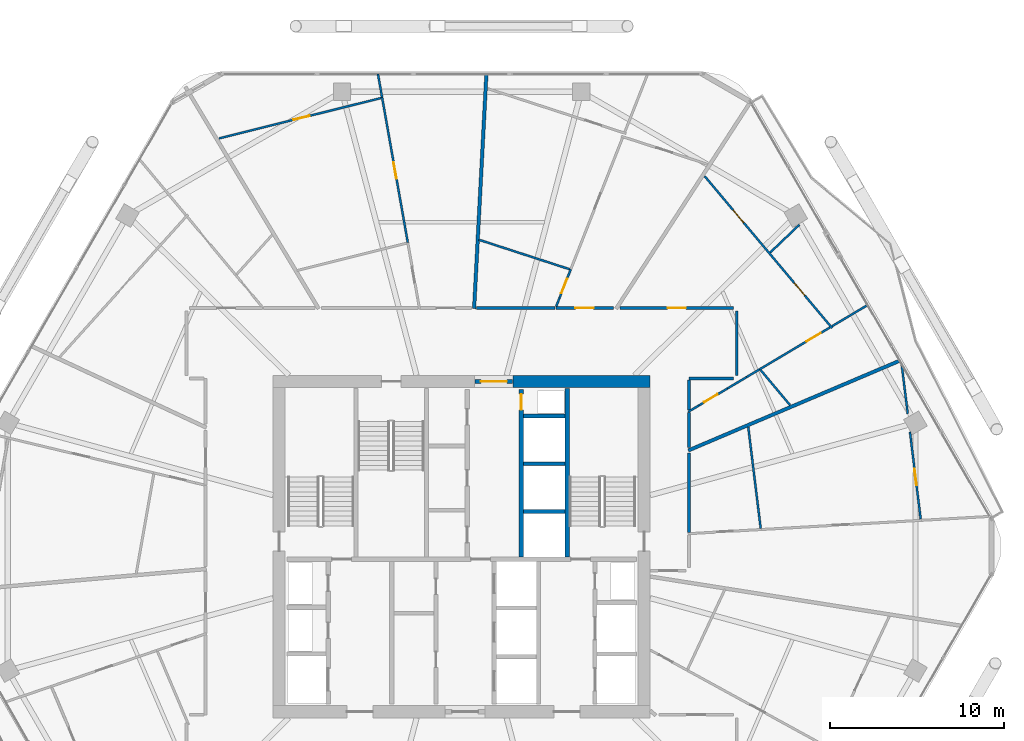
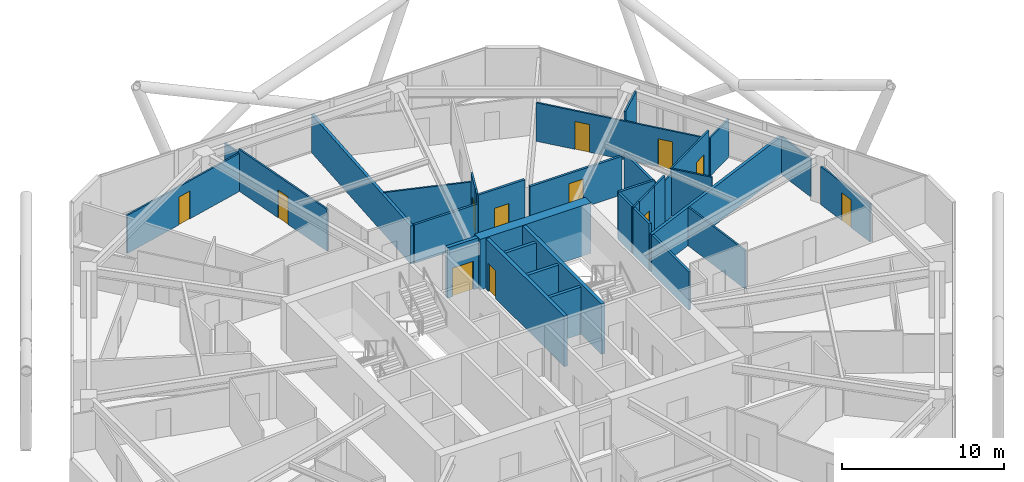
# One storey, part 24 of 28: 35 walls, 12 doors, 12 openings.
"""IFC4 building model written with IfcOpenShell, lengths in metres."""

from ifc_helpers import new_model, si_unit, direction, frame, frame_2d, origin, place, context, subcontext, project, spatial, rectangle, extrude, material, layer, layer_set, type_object, element, fill, save


model = new_model("IFC4")

# Units and contexts
model_context = context("Model", 3, precision=1e-05, world=origin(), true_north=direction((0.0, 1.0)))
body_context = subcontext(model_context, "Body", "Model", "MODEL_VIEW")
ifc_project = project(units=[si_unit("LENGTHUNIT", "METRE"), si_unit("AREAUNIT", "SQUARE_METRE"), si_unit("VOLUMEUNIT", "CUBIC_METRE"), si_unit("PLANEANGLEUNIT", "RADIAN"), si_unit("MASSUNIT", "GRAM", prefix="KILO")], contexts=[model_context])

# Site, building, storey
site_placement = place(None, origin())
site = spatial("IfcSite", under=ifc_project, at=site_placement, CompositionType="ELEMENT")
building_placement = place(site_placement, origin())
building = spatial("IfcBuilding", under=site, at=building_placement, Name="Zuhravey Tower", CompositionType="ELEMENT")
storey_placement = place(building_placement, frame((0.0, 0.0, 169.39990234375)))
storey = spatial("IfcBuildingStorey", under=building, at=storey_placement, Name="L42", CompositionType="ELEMENT", Elevation=169.39990234375)

# Wall
ifc_material_1 = material(Name="Concrete C60/75", Category="concrete")
ifc_layer_1 = layer(ifc_material_1, 0.699951171875)
ifc_layer_set_1 = layer_set([ifc_layer_1], Name="Concrete C60/75")
wall_type_1 = type_object("IfcWallType", Name="Core Shear Wall 700", PredefinedType="SHEAR", material=ifc_layer_set_1)
wall_1_placement = place(storey_placement, frame((46.85009765625, 41.5, 0.0), z_axis=(0.0, 0.0, 1.0), x_axis=(-1.0, 0.0, 0.0)))
element("IfcWall", 1, at=wall_1_placement, inside=storey, type_object=wall_type_1, Name="L42 North-East Core Shear Wall CW70", PredefinedType="SHEAR", context=body_context, shape_type="SweptSolid", body=[
    extrude(rectangle(XDim=7.900146484375, YDim=0.699951171875, at=frame_2d((3.9501953125, 0.0))), origin(), (0.0, 0.0, 1.0), 3.800048828125),
])

# Wall, opening, door
ifc_material_2 = material(Name="Gypsum fire-rated stud partition")
ifc_layer_2 = layer(ifc_material_2, 0.159912109375)
ifc_layer_set_2 = layer_set([ifc_layer_2], Name="Gypsum fire-rated stud partition")
wall_type_2 = type_object("IfcWallType", Name="Corridor Fire Partition 160", PredefinedType="PARTITIONING", material=ifc_layer_set_2)
wall_2_placement = place(storey_placement, frame((51.64990234375, 45.72998046875, 0.0), z_axis=(0.0, 0.0, 1.0), x_axis=(-1.0, 0.0, 0.0)))
wall_2 = element("IfcWall", 2, at=wall_2_placement, inside=storey, type_object=wall_type_2, Name="L42 IW16 Partition 023", PredefinedType="PARTITIONING", context=body_context, shape_type="SweptSolid", body=[
    extrude(rectangle(XDim=6.5380859375, YDim=0.159912109375, at=frame_2d((3.26904296875, 0.0))), origin(), (0.0, 0.0, 1.0), 2.900146484375),
])
opening_1_placement = place(wall_2_placement, frame((2.744140625, 0.0, 0.0)))
opening_1 = element("IfcOpeningElement", 3, at=opening_1_placement, cuts=wall_2, Name="Opening APD1", PredefinedType="OPENING", context=body_context, shape_type="SweptSolid", body=[
    extrude(rectangle(XDim=1.050048828125, YDim=2.14990234375, at=frame_2d((0.52490234375, 1.074951171875))), frame((0.0, 0.092041015625, 0.0), z_axis=(0.0, -1.0, 0.0), x_axis=(1.0, 0.0, 0.0)), (0.0, 0.0, 1.0), 0.183837890625),
])
ifc_material_3 = material(Name="Solid-core oak fire-rated leaf")
door_type_1 = type_object("IfcDoorType", Name="Apartment Entrance Fire Door 1050x2150", OperationType="NOTDEFINED", PredefinedType="DOOR", material=ifc_material_3)
door_1_placement = place(opening_1_placement, frame((1.050048828125, 0.0, 0.0), z_axis=(0.0, 0.0, 1.0), x_axis=(-1.0, 0.0, 0.0)))
door_1 = element("IfcDoor", 4, at=door_1_placement, inside=storey, type_object=door_type_1, Name="L42 Door 023.1", OperationType="SINGLE_SWING_LEFT", OverallHeight=2.14990234375, OverallWidth=1.050048828125, PredefinedType="DOOR", context=body_context, shape_type="SweptSolid", body=[
    extrude(rectangle(XDim=1.050048828125, YDim=2.14990234375, at=frame_2d((0.52490234375, 1.074951171875))), frame((0.0, 0.02490234375, 0.0), z_axis=(0.0, -1.0, 0.0), x_axis=(1.0, 0.0, 0.0)), (0.0, 0.0, 1.0), 0.050048828125),
])
fill(opening_1, door_1)

wall_3_placement = place(storey_placement, frame((44.723388671875, 45.72998046875, 0.0), z_axis=(0.0, 0.0, 1.0), x_axis=(-1.0, 0.0, 0.0)))
wall_3 = element("IfcWall", 5, at=wall_3_placement, inside=storey, type_object=wall_type_2, Name="L42 IW16 Partition 028", PredefinedType="PARTITIONING", context=body_context, shape_type="SweptSolid", body=[
    extrude(rectangle(XDim=3.299072265625, YDim=0.159912109375, at=frame_2d((1.6494140625, 0.0))), origin(), (0.0, 0.0, 1.0), 3.550048828125),
])
opening_2_placement = place(wall_3_placement, frame((1.12451171875, 0.0, 0.0)))
opening_2 = element("IfcOpeningElement", 6, at=opening_2_placement, cuts=wall_3, Name="Opening APD1", PredefinedType="OPENING", context=body_context, shape_type="SweptSolid", body=[
    extrude(rectangle(XDim=1.050048828125, YDim=2.14990234375, at=frame_2d((0.52490234375, 1.074951171875))), frame((0.0, 0.092041015625, 0.0), z_axis=(0.0, -1.0, 0.0), x_axis=(1.0, 0.0, 0.0)), (0.0, 0.0, 1.0), 0.183837890625),
])
door_2_placement = place(opening_2_placement, frame((1.050048828125, 0.0, 0.0), z_axis=(0.0, 0.0, 1.0), x_axis=(-1.0, 0.0, 0.0)))
door_2 = element("IfcDoor", 7, at=door_2_placement, inside=storey, type_object=door_type_1, Name="L42 Door 028.1", OperationType="SINGLE_SWING_RIGHT", OverallHeight=2.14990234375, OverallWidth=1.050048828125, PredefinedType="DOOR", context=body_context, shape_type="SweptSolid", body=[
    extrude(rectangle(XDim=1.050048828125, YDim=2.14990234375, at=frame_2d((0.52490234375, 1.074951171875))), frame((0.0, 0.02490234375, 0.0), z_axis=(0.0, -1.0, 0.0), x_axis=(1.0, 0.0, 0.0)), (0.0, 0.0, 1.0), 0.050048828125),
])
fill(opening_2, door_2)

# Walls
wall_4_placement = place(storey_placement, frame((51.830078125, 41.85009765625, 0.0), z_axis=(0.0, 0.0, 1.0), x_axis=(0.0, 1.0, 0.0)))
element("IfcWall", 8, at=wall_4_placement, inside=storey, type_object=wall_type_2, Name="L42 IW16 Partition 123", PredefinedType="PARTITIONING", context=body_context, shape_type="SweptSolid", body=[
    extrude(rectangle(XDim=3.699951171875, YDim=0.159912109375, at=frame_2d((1.85009765625, 0.0))), origin(), (0.0, 0.0, 1.0), 3.150146484375),
])
wall_5_placement = place(storey_placement, frame((49.080078125, 41.669921875, 0.0), z_axis=(0.0, 0.0, 1.0), x_axis=(1.0, 0.0, 0.0)))
element("IfcWall", 9, at=wall_5_placement, inside=storey, type_object=wall_type_2, Name="L42 IW16 Partition 124", PredefinedType="PARTITIONING", context=body_context, shape_type="SweptSolid", body=[
    extrude(rectangle(XDim=2.56982421875, YDim=0.159912109375, at=frame_2d((1.284912109375, 0.0))), origin(), (0.0, 0.0, 1.0), 3.550048828125),
])
wall_6_placement = place(storey_placement, frame((49.080078125, 39.864013671875, 0.0), z_axis=(0.0, 0.0, 1.0), x_axis=(0.0, 1.0, 0.0)))
element("IfcWall", 10, at=wall_6_placement, inside=storey, type_object=wall_type_2, Name="L42 IW16 Partition 125", PredefinedType="PARTITIONING", context=body_context, shape_type="SweptSolid", body=[
    extrude(rectangle(XDim=1.718017578125, YDim=0.159912109375, at=frame_2d((0.85888671875, 0.0))), origin(), (0.0, 0.0, 1.0), 3.550048828125),
])
wall_7_placement = place(storey_placement, frame((49.080078125, 37.709228515625, 0.0), z_axis=(0.0, 0.0, 1.0), x_axis=(0.0, 1.0, 0.0)))
element("IfcWall", 11, at=wall_7_placement, inside=storey, type_object=wall_type_2, Name="L42 IW16 Partition 126", PredefinedType="PARTITIONING", context=body_context, shape_type="SweptSolid", body=[
    extrude(rectangle(XDim=1.99658203125, YDim=0.159912109375, at=frame_2d((0.998291015625, 0.0))), origin(), (0.0, 0.0, 1.0), 3.550048828125),
])
wall_8_placement = place(storey_placement, frame((41.38134765625, 45.72998046875, 0.0), z_axis=(0.0, 0.0, 1.0), x_axis=(-1.0, 0.0, 0.0)))
element("IfcWall", 12, at=wall_8_placement, inside=storey, type_object=wall_type_2, Name="L42 IW16 Partition 127", PredefinedType="PARTITIONING", context=body_context, shape_type="SweptSolid", body=[
    extrude(rectangle(XDim=4.521484375, YDim=0.159912109375, at=frame_2d((2.2607421875, 0.0))), origin(), (0.0, 0.0, 1.0), 2.900146484375),
])
wall_9_placement = place(storey_placement, frame((49.080078125, 32.817626953125, 0.0), z_axis=(0.0, 0.0, 1.0), x_axis=(0.0, 1.0, 0.0)))
element("IfcWall", 13, at=wall_9_placement, inside=storey, type_object=wall_type_2, Name="L42 IW16 Partition 143", PredefinedType="PARTITIONING", context=body_context, shape_type="SweptSolid", body=[
    extrude(rectangle(XDim=4.57861328125, YDim=0.159912109375, at=frame_2d((2.289306640625, 0.0))), origin(), (0.0, 0.0, 1.0), 2.900146484375),
])

# Wall, opening, door
ifc_material_4 = material(Name="Concrete C50/60", Category="concrete")
ifc_layer_3 = layer(ifc_material_4, 0.25)
ifc_layer_set_3 = layer_set([ifc_layer_3], Name="Concrete C50/60")
wall_type_3 = type_object("IfcWallType", Name="Firefighting Shaft & Stair Wall 250", PredefinedType="SOLIDWALL", material=ifc_layer_set_3)
wall_10_placement = place(storey_placement, frame((36.760009765625, 41.5, 0.0), z_axis=(0.0, 0.0, 1.0), x_axis=(1.0, 0.0, 0.0)))
wall_10 = element("IfcWall", 14, at=wall_10_placement, inside=storey, type_object=wall_type_3, Name="L42 FW25 Shaft Wall 002", PredefinedType="SOLIDWALL", context=body_context, shape_type="SweptSolid", body=[
    extrude(rectangle(XDim=2.179931640625, YDim=0.25, at=frame_2d((1.08984375, 0.0))), origin(), (0.0, 0.0, 1.0), 3.800048828125),
])
opening_3_placement = place(wall_10_placement, frame((0.340087890625, 0.0, 0.0)))
opening_3 = element("IfcOpeningElement", 15, at=opening_3_placement, cuts=wall_10, Name="Opening FFD1", PredefinedType="OPENING", context=body_context, shape_type="SweptSolid", body=[
    extrude(rectangle(XDim=1.5, YDim=2.14990234375, at=frame_2d((0.75, 1.074951171875))), frame((0.0, 0.136962890625, 0.0), z_axis=(0.0, -1.0, 0.0), x_axis=(1.0, 0.0, 0.0)), (0.0, 0.0, 1.0), 0.27392578125),
])
ifc_material_5 = material(Name="Galvanised fire-rated steel leaf", Category="steel")
door_type_2 = type_object("IfcDoorType", Name="Firefighting Lobby Double Door 1500x2150", OperationType="DOUBLE_DOOR_SINGLE_SWING", PredefinedType="DOOR", material=ifc_material_5)
door_3_placement = place(opening_3_placement, origin())
door_3 = element("IfcDoor", 16, at=door_3_placement, inside=storey, type_object=door_type_2, Name="L42 North Lift Lobby Exit Door", OperationType="DOUBLE_DOOR_SINGLE_SWING", OverallHeight=2.14990234375, OverallWidth=1.5, PredefinedType="DOOR", context=body_context, shape_type="SweptSolid", body=[
    extrude(rectangle(XDim=1.5, YDim=2.14990234375, at=frame_2d((0.75, 1.074951171875))), frame((0.0, 0.02490234375, 0.0), z_axis=(0.0, -1.0, 0.0), x_axis=(1.0, 0.0, 0.0)), (0.0, 0.0, 1.0), 0.050048828125),
])
fill(opening_3, door_3)

# Wall
wall_11_placement = place(storey_placement, frame((42.074951171875, 31.39990234375, 0.0), z_axis=(0.0, 0.0, 1.0), x_axis=(0.0, 1.0, 0.0)))
element("IfcWall", 17, at=wall_11_placement, inside=storey, type_object=wall_type_3, Name="L42 FW25 Shaft Wall 006", PredefinedType="SOLIDWALL", context=body_context, shape_type="SweptSolid", body=[
    extrude(rectangle(XDim=9.7001953125, YDim=0.25, at=frame_2d((4.85009765625, 0.0))), origin(), (0.0, 0.0, 1.0), 3.800048828125),
])

# Wall, opening, door
wall_12_placement = place(storey_placement, frame((39.425048828125, 31.39990234375, 0.0), z_axis=(0.0, 0.0, 1.0), x_axis=(0.0, 1.0, 0.0)))
wall_12 = element("IfcWall", 18, at=wall_12_placement, inside=storey, type_object=wall_type_3, Name="L42 FW25 Shaft Wall 008", PredefinedType="SOLIDWALL", context=body_context, shape_type="SweptSolid", body=[
    extrude(rectangle(XDim=9.650146484375, YDim=0.25, at=frame_2d((4.8251953125, 0.0))), origin(), (0.0, 0.0, 1.0), 3.800048828125),
])
opening_4_placement = place(wall_12_placement, frame((8.469970703125, 0.0, 0.0)))
opening_4 = element("IfcOpeningElement", 19, at=opening_4_placement, cuts=wall_12, Name="Opening RSD1", PredefinedType="OPENING", context=body_context, shape_type="SweptSolid", body=[
    extrude(rectangle(XDim=0.89990234375, YDim=2.10009765625, at=frame_2d((0.449951171875, 1.050048828125))), frame((0.0, 0.136962890625, 0.0), z_axis=(0.0, -1.0, 0.0), x_axis=(1.0, 0.0, 0.0)), (0.0, 0.0, 1.0), 0.27392578125),
])
ifc_material_6 = material(Name="Galvanised fire-rated steel access leaf", Category="steel")
door_type_3 = type_object("IfcDoorType", Name="Riser & Shaft Access Fire Door 900x2100", OperationType="NOTDEFINED", PredefinedType="DOOR", material=ifc_material_6)
door_4_placement = place(opening_4_placement, origin())
door_4 = element("IfcDoor", 20, at=door_4_placement, inside=storey, type_object=door_type_3, Name="L42 North Riser Door", OperationType="SINGLE_SWING_LEFT", OverallHeight=2.10009765625, OverallWidth=0.89990234375, PredefinedType="DOOR", context=body_context, shape_type="SweptSolid", body=[
    extrude(rectangle(XDim=0.89990234375, YDim=2.10009765625, at=frame_2d((0.449951171875, 1.050048828125))), frame((0.0, 0.02490234375, 0.0), z_axis=(0.0, -1.0, 0.0), x_axis=(1.0, 0.0, 0.0)), (0.0, 0.0, 1.0), 0.050048828125),
])
fill(opening_4, door_4)

# Walls
ifc_material_7 = material(Name="Gypsum double-stud party assembly")
ifc_layer_4 = layer(ifc_material_7, 0.199951171875)
ifc_layer_set_4 = layer_set([ifc_layer_4], Name="Gypsum double-stud party assembly")
wall_type_4 = type_object("IfcWallType", Name="Inter-Tenancy Party Wall 200", PredefinedType="PARTITIONING", material=ifc_layer_set_4)
wall_13_placement = place(storey_placement, frame((49.0400390625, 37.53515625, 0.0), z_axis=(0.0, 0.0, 1.0), x_axis=(0.920509138011, 0.390721034548, 0.0)))
element("IfcWall", 21, at=wall_13_placement, inside=storey, type_object=wall_type_4, Name="L42 IW20 Partition 075", PredefinedType="PARTITIONING", context=body_context, shape_type="SweptSolid", body=[
    extrude(rectangle(XDim=13.22119140625, YDim=0.199951171875, at=frame_2d((6.610595703125, 0.0))), origin(), (0.0, 0.0, 1.0), 2.8701171875),
])
wall_14_placement = place(storey_placement, frame((36.717529296875, 45.68994140625, 0.0), z_axis=(0.0, 0.0, 1.0), x_axis=(0.052327430458, 0.998629981536, 0.0)))
element("IfcWall", 22, at=wall_14_placement, inside=storey, type_object=wall_type_4, Name="L42 IW20 Partition 085", PredefinedType="PARTITIONING", context=body_context, shape_type="SweptSolid", body=[
    extrude(rectangle(XDim=13.51171875, YDim=0.199951171875, at=frame_2d((6.755859375, 0.0))), origin(), (0.0, 0.0, 1.0), 2.8701171875),
])
ifc_material_8 = material(Name="Gypsum acoustic stud assembly")
ifc_layer_5 = layer(ifc_material_8, 0.219970703125)
ifc_layer_set_5 = layer_set([ifc_layer_5], Name="Gypsum acoustic stud assembly")
wall_type_5 = type_object("IfcWallType", Name="School Acoustic Compartment Wall 220", PredefinedType="PARTITIONING", material=ifc_layer_set_5)
for number, where, z_axis, x_axis, name in (
    (23, (39.55810546875, 34.02490234375, 0.0), (0.0, 0.0, 1.0), (1.0, 0.0, 0.0), "L42 IW22 Partition 069"),
    (24, (39.55810546875, 36.77490234375, 0.0), (0.0, 0.0, 1.0), (1.0, 0.0, 0.0), "L42 IW22 Partition 070"),
    (25, (39.55810546875, 39.52490234375, 0.0), (0.0, 0.0, 1.0), (1.0, 0.0, 0.0), "L42 IW22 Partition 071"),
):
    element("IfcWall", number, at=place(storey_placement, frame(where, z_axis=z_axis, x_axis=x_axis)), inside=storey, type_object=wall_type_5, Name=name, PredefinedType="PARTITIONING", context=body_context, shape_type="SweptSolid", body=[
        extrude(rectangle(XDim=2.3837890625, YDim=0.219970703125, at=frame_2d((1.19189453125, 0.0))), origin(), (0.0, 0.0, 1.0), 3.550048828125),
    ])

# Wall, openings, doors
ifc_material_9 = material(Name="Gypsum metal-stud partition")
ifc_layer_6 = layer(ifc_material_9, 0.1201171875)
ifc_layer_set_6 = layer_set([ifc_layer_6], Name="Gypsum metal-stud partition")
wall_type_6 = type_object("IfcWallType", Name="Unit Internal Partition 120", PredefinedType="PARTITIONING", material=ifc_layer_set_6)
wall_15_placement = place(storey_placement, frame((57.31689453125, 44.571044921875, 0.0), z_axis=(0.0, 0.0, 1.0), x_axis=(-0.642776392827, 0.766053855042, 0.0)))
wall_15 = element("IfcWall", 26, at=wall_15_placement, inside=storey, type_object=wall_type_6, Name="L42 IW12 Partition 019", PredefinedType="PARTITIONING", context=body_context, shape_type="SweptSolid", body=[
    extrude(rectangle(XDim=11.4072265625, YDim=0.1201171875, at=frame_2d((5.70361328125, 0.0))), origin(), (0.0, 0.0, 1.0), 2.900146484375),
])
opening_5_placement = place(wall_15_placement, frame((2.455810546875, 0.0, 0.0)))
opening_5 = element("IfcOpeningElement", 27, at=opening_5_placement, cuts=wall_15, Name="Opening IND1", PredefinedType="OPENING", context=body_context, shape_type="SweptSolid", body=[
    extrude(rectangle(XDim=0.949951171875, YDim=2.10009765625, at=frame_2d((0.47509765625, 1.050048828125))), frame((0.0, 0.072021484375, 0.0), z_axis=(0.0, -1.0, 0.0), x_axis=(1.0, 0.0, 0.0)), (0.0, 0.0, 1.0), 0.14404296875),
])
opening_6_placement = place(wall_15_placement, frame((7.919189453125, 0.0, 0.0)))
opening_6 = element("IfcOpeningElement", 28, at=opening_6_placement, cuts=wall_15, Name="Opening IND1", PredefinedType="OPENING", context=body_context, shape_type="SweptSolid", body=[
    extrude(rectangle(XDim=0.949951171875, YDim=2.10009765625, at=frame_2d((0.47509765625, 1.050048828125))), frame((0.0, 0.072021484375, 0.0), z_axis=(0.0, -1.0, 0.0), x_axis=(1.0, 0.0, 0.0)), (0.0, 0.0, 1.0), 0.14404296875),
])
ifc_material_10 = material(Name="Painted engineered timber leaf", Category="wood")
door_type_4 = type_object("IfcDoorType", Name="Internal Room & Bedroom Door 950x2100", OperationType="NOTDEFINED", PredefinedType="DOOR", material=ifc_material_10)
door_5_placement = place(opening_5_placement, frame((0.949951171875, 0.0, 0.0), z_axis=(0.0, 0.0, 1.0), x_axis=(-1.0, 0.0, 0.0)))
door_5 = element("IfcDoor", 29, at=door_5_placement, inside=storey, type_object=door_type_4, Name="Apartment L42-01 Family Study Door", OperationType="SINGLE_SWING_LEFT", OverallHeight=2.10009765625, OverallWidth=0.949951171875, PredefinedType="DOOR", context=body_context, shape_type="SweptSolid", body=[
    extrude(rectangle(XDim=0.949951171875, YDim=2.10009765625, at=frame_2d((0.47509765625, 1.050048828125))), frame((0.0, 0.02490234375, 0.0), z_axis=(0.0, -1.0, 0.0), x_axis=(1.0, 0.0, 0.0)), (0.0, 0.0, 1.0), 0.050048828125),
])
fill(opening_5, door_5)
door_6_placement = place(opening_6_placement, frame((0.949951171875, 0.0, 0.0), z_axis=(0.0, 0.0, 1.0), x_axis=(-1.0, 0.0, 0.0)))
door_6 = element("IfcDoor", 30, at=door_6_placement, inside=storey, type_object=door_type_4, Name="Apartment L42-01 Dining Room Door", OperationType="SINGLE_SWING_RIGHT", OverallHeight=2.10009765625, OverallWidth=0.949951171875, PredefinedType="DOOR", context=body_context, shape_type="SweptSolid", body=[
    extrude(rectangle(XDim=0.949951171875, YDim=2.10009765625, at=frame_2d((0.47509765625, 1.050048828125))), frame((0.0, 0.02490234375, 0.0), z_axis=(0.0, -1.0, 0.0), x_axis=(1.0, 0.0, 0.0)), (0.0, 0.0, 1.0), 0.050048828125),
])
fill(opening_6, door_6)

# Wall, opening, door
wall_16_placement = place(storey_placement, frame((49.64990234375, 40.1240234375, 0.0), z_axis=(0.0, 0.0, 1.0), x_axis=(0.85930493282, 0.511463617897, 0.0)))
wall_16 = element("IfcWall", 31, at=wall_16_placement, inside=storey, type_object=wall_type_6, Name="L42 IW12 Partition 020", PredefinedType="PARTITIONING", context=body_context, shape_type="SweptSolid", body=[
    extrude(rectangle(XDim=1.908447265625, YDim=0.1201171875, at=frame_2d((0.9541015625, 0.0))), origin(), (0.0, 0.0, 1.0), 3.550048828125),
])
opening_7_placement = place(wall_16_placement, frame((0.351318359375, 0.0, 0.0)))
opening_7 = element("IfcOpeningElement", 32, at=opening_7_placement, cuts=wall_16, Name="Opening WCD1", PredefinedType="OPENING", context=body_context, shape_type="SweptSolid", body=[
    extrude(rectangle(XDim=0.89990234375, YDim=2.10009765625, at=frame_2d((0.449951171875, 1.050048828125))), frame((0.0, 0.072021484375, 0.0), z_axis=(0.0, -1.0, 0.0), x_axis=(1.0, 0.0, 0.0)), (0.0, 0.0, 1.0), 0.14404296875),
])
ifc_material_11 = material(Name="Moisture-resistant timber leaf", Category="wood")
door_type_5 = type_object("IfcDoorType", Name="Bathroom & WC Internal Door 900x2100", OperationType="NOTDEFINED", PredefinedType="DOOR", material=ifc_material_11)
door_7_placement = place(opening_7_placement, frame((0.89990234375, 0.0, 0.0), z_axis=(0.0, 0.0, 1.0), x_axis=(-1.0, 0.0, 0.0)))
door_7 = element("IfcDoor", 33, at=door_7_placement, inside=storey, type_object=door_type_5, Name="Apartment L42-01 Bathroom Door", OperationType="SINGLE_SWING_LEFT", OverallHeight=2.10009765625, OverallWidth=0.89990234375, PredefinedType="DOOR", context=body_context, shape_type="SweptSolid", body=[
    extrude(rectangle(XDim=0.89990234375, YDim=2.10009765625, at=frame_2d((0.449951171875, 1.050048828125))), frame((0.0, 0.02490234375, 0.0), z_axis=(0.0, -1.0, 0.0), x_axis=(1.0, 0.0, 0.0)), (0.0, 0.0, 1.0), 0.050048828125),
])
fill(opening_7, door_7)

wall_17_placement = place(storey_placement, frame((53.13623046875, 42.198974609375, 0.0), z_axis=(0.0, 0.0, 1.0), x_axis=(0.859312908938, 0.511450217062, 0.0)))
wall_17 = element("IfcWall", 34, at=wall_17_placement, inside=storey, type_object=wall_type_6, Name="L42 IW12 Partition 021", PredefinedType="PARTITIONING", context=body_context, shape_type="SweptSolid", body=[
    extrude(rectangle(XDim=4.720458984375, YDim=0.1201171875, at=frame_2d((2.3603515625, 0.0))), origin(), (0.0, 0.0, 1.0), 3.550048828125),
])
opening_8_placement = place(wall_17_placement, frame((3.1494140625, 0.0, 0.0)))
opening_8 = element("IfcOpeningElement", 35, at=opening_8_placement, cuts=wall_17, Name="Opening IND1", PredefinedType="OPENING", context=body_context, shape_type="SweptSolid", body=[
    extrude(rectangle(XDim=0.949951171875, YDim=2.10009765625, at=frame_2d((0.47509765625, 1.050048828125))), frame((0.0, 0.072021484375, 0.0), z_axis=(0.0, -1.0, 0.0), x_axis=(1.0, 0.0, 0.0)), (0.0, 0.0, 1.0), 0.14404296875),
])
door_8_placement = place(opening_8_placement, frame((0.949951171875, 0.0, 0.0), z_axis=(0.0, 0.0, 1.0), x_axis=(-1.0, 0.0, 0.0)))
door_8 = element("IfcDoor", 36, at=door_8_placement, inside=storey, type_object=door_type_4, Name="Apartment L42-01 Bedroom 1 Door", OperationType="SINGLE_SWING_RIGHT", OverallHeight=2.10009765625, OverallWidth=0.949951171875, PredefinedType="DOOR", context=body_context, shape_type="SweptSolid", body=[
    extrude(rectangle(XDim=0.949951171875, YDim=2.10009765625, at=frame_2d((0.47509765625, 1.050048828125))), frame((0.0, 0.02490234375, 0.0), z_axis=(0.0, -1.0, 0.0), x_axis=(1.0, 0.0, 0.0)), (0.0, 0.0, 1.0), 0.050048828125),
])
fill(opening_8, door_8)

# Wall
wall_18_placement = place(storey_placement, frame((57.31103515625, 44.683837890625, 0.0), z_axis=(0.0, 0.0, 1.0), x_axis=(0.859307846335, 0.511458722896, 0.0)))
element("IfcWall", 37, at=wall_18_placement, inside=storey, type_object=wall_type_6, Name="L42 IW12 Partition 022", PredefinedType="PARTITIONING", context=body_context, shape_type="SweptSolid", body=[
    extrude(rectangle(XDim=2.390625, YDim=0.1201171875, at=frame_2d((1.1953125, 0.0))), origin(), (0.0, 0.0, 1.0), 2.8701171875),
])

# Wall, opening, door
wall_19_placement = place(storey_placement, frame((41.627197265625, 46.300048828125, 0.0), z_axis=(0.0, 0.0, 1.0), x_axis=(0.366112681727, 0.930570526225, 0.0)))
wall_19 = element("IfcWall", 38, at=wall_19_placement, inside=storey, type_object=wall_type_6, Name="L42 IW12 Partition 025", PredefinedType="PARTITIONING", context=body_context, shape_type="SweptSolid", body=[
    extrude(rectangle(XDim=1.78857421875, YDim=0.1201171875, at=frame_2d((0.894287109375, 0.0))), origin(), (0.0, 0.0, 1.0), 3.550048828125),
])
opening_9_placement = place(wall_19_placement, frame((0.30126953125, 0.0, 0.0)))
opening_9 = element("IfcOpeningElement", 39, at=opening_9_placement, cuts=wall_19, Name="Opening WCD1", PredefinedType="OPENING", context=body_context, shape_type="SweptSolid", body=[
    extrude(rectangle(XDim=0.89990234375, YDim=2.10009765625, at=frame_2d((0.449951171875, 1.050048828125))), frame((0.0, 0.072021484375, 0.0), z_axis=(0.0, -1.0, 0.0), x_axis=(1.0, 0.0, 0.0)), (0.0, 0.0, 1.0), 0.14404296875),
])
door_9_placement = place(opening_9_placement, origin())
door_9 = element("IfcDoor", 40, at=door_9_placement, inside=storey, type_object=door_type_5, Name="Apartment L42-02 Bathroom Door", OperationType="SINGLE_SWING_LEFT", OverallHeight=2.10009765625, OverallWidth=0.89990234375, PredefinedType="DOOR", context=body_context, shape_type="SweptSolid", body=[
    extrude(rectangle(XDim=0.89990234375, YDim=2.10009765625, at=frame_2d((0.449951171875, 1.050048828125))), frame((0.0, 0.02490234375, 0.0), z_axis=(0.0, -1.0, 0.0), x_axis=(1.0, 0.0, 0.0)), (0.0, 0.0, 1.0), 0.050048828125),
])
fill(opening_9, door_9)

wall_20_placement = place(storey_placement, frame((32.901611328125, 49.50146484375, 0.0), z_axis=(0.0, 0.0, 1.0), x_axis=(-0.174358516614, 0.984682236909, 0.0)))
wall_20 = element("IfcWall", 41, at=wall_20_placement, inside=storey, type_object=wall_type_6, Name="L42 IW12 Partition 030", PredefinedType="PARTITIONING", context=body_context, shape_type="SweptSolid", body=[
    extrude(rectangle(XDim=8.479736328125, YDim=0.1201171875, at=frame_2d((4.23974609375, 0.0))), origin(), (0.0, 0.0, 1.0), 3.150146484375),
])
opening_10_placement = place(wall_20_placement, frame((3.73974609375, 0.0, 0.0)))
opening_10 = element("IfcOpeningElement", 42, at=opening_10_placement, cuts=wall_20, Name="Opening IND1", PredefinedType="OPENING", context=body_context, shape_type="SweptSolid", body=[
    extrude(rectangle(XDim=0.949951171875, YDim=2.10009765625, at=frame_2d((0.47509765625, 1.050048828125))), frame((0.0, 0.072021484375, 0.0), z_axis=(0.0, -1.0, 0.0), x_axis=(1.0, 0.0, 0.0)), (0.0, 0.0, 1.0), 0.14404296875),
])
door_10_placement = place(opening_10_placement, origin())
door_10 = element("IfcDoor", 43, at=door_10_placement, inside=storey, type_object=door_type_4, Name="Apartment L42-03 Home Office Door", OperationType="SINGLE_SWING_RIGHT", OverallHeight=2.10009765625, OverallWidth=0.949951171875, PredefinedType="DOOR", context=body_context, shape_type="SweptSolid", body=[
    extrude(rectangle(XDim=0.949951171875, YDim=2.10009765625, at=frame_2d((0.47509765625, 1.050048828125))), frame((0.0, 0.02490234375, 0.0), z_axis=(0.0, -1.0, 0.0), x_axis=(1.0, 0.0, 0.0)), (0.0, 0.0, 1.0), 0.050048828125),
])
fill(opening_10, door_10)

wall_21_placement = place(storey_placement, frame((31.361328125, 57.81005859375, 0.0), z_axis=(0.0, 0.0, 1.0), x_axis=(-0.97029492616, -0.241925104669, 0.0)))
wall_21 = element("IfcWall", 44, at=wall_21_placement, inside=storey, type_object=wall_type_6, Name="L42 IW12 Partition 031", PredefinedType="PARTITIONING", context=body_context, shape_type="SweptSolid", body=[
    extrude(rectangle(XDim=9.59814453125, YDim=0.1201171875, at=frame_2d((4.799072265625, 0.0))), origin(), (0.0, 0.0, 1.0), 2.8701171875),
])
opening_11_placement = place(wall_21_placement, frame((4.23974609375, 0.0, 0.0)))
opening_11 = element("IfcOpeningElement", 45, at=opening_11_placement, cuts=wall_21, Name="Opening IND1", PredefinedType="OPENING", context=body_context, shape_type="SweptSolid", body=[
    extrude(rectangle(XDim=0.949951171875, YDim=2.10009765625, at=frame_2d((0.47509765625, 1.050048828125))), frame((0.0, 0.072021484375, 0.0), z_axis=(0.0, -1.0, 0.0), x_axis=(1.0, 0.0, 0.0)), (0.0, 0.0, 1.0), 0.14404296875),
])
door_11_placement = place(opening_11_placement, frame((0.949951171875, 0.0, 0.0), z_axis=(0.0, 0.0, 1.0), x_axis=(-1.0, 0.0, 0.0)))
door_11 = element("IfcDoor", 46, at=door_11_placement, inside=storey, type_object=door_type_4, Name="Apartment L42-03 Bedroom 1 Door", OperationType="SINGLE_SWING_LEFT", OverallHeight=2.10009765625, OverallWidth=0.949951171875, PredefinedType="DOOR", context=body_context, shape_type="SweptSolid", body=[
    extrude(rectangle(XDim=0.949951171875, YDim=2.10009765625, at=frame_2d((0.47509765625, 1.050048828125))), frame((0.0, 0.02490234375, 0.0), z_axis=(0.0, -1.0, 0.0), x_axis=(1.0, 0.0, 0.0)), (0.0, 0.0, 1.0), 0.050048828125),
])
fill(opening_11, door_11)

wall_22_placement = place(storey_placement, frame((62.40771484375, 33.58154296875, 0.0), z_axis=(0.0, 0.0, 1.0), x_axis=(-0.121862130173, 0.992547037288, 0.0)))
wall_22 = element("IfcWall", 47, at=wall_22_placement, inside=storey, type_object=wall_type_6, Name="L42 IW12 Partition 065", PredefinedType="PARTITIONING", context=body_context, shape_type="SweptSolid", body=[
    extrude(rectangle(XDim=5.062744140625, YDim=0.1201171875, at=frame_2d((2.53125, 0.0))), origin(), (0.0, 0.0, 1.0), 2.8701171875),
])
opening_12_placement = place(wall_22_placement, frame((1.97216796875, 0.0, 0.0)))
opening_12 = element("IfcOpeningElement", 48, at=opening_12_placement, cuts=wall_22, Name="Opening IND1", PredefinedType="OPENING", context=body_context, shape_type="SweptSolid", body=[
    extrude(rectangle(XDim=0.949951171875, YDim=2.10009765625, at=frame_2d((0.47509765625, 1.050048828125))), frame((0.0, 0.072021484375, 0.0), z_axis=(0.0, -1.0, 0.0), x_axis=(1.0, 0.0, 0.0)), (0.0, 0.0, 1.0), 0.14404296875),
])
door_12_placement = place(opening_12_placement, frame((0.949951171875, 0.0, 0.0), z_axis=(0.0, 0.0, 1.0), x_axis=(-1.0, 0.0, 0.0)))
door_12 = element("IfcDoor", 49, at=door_12_placement, inside=storey, type_object=door_type_4, Name="Apartment L42-11 Bedroom 1 Door", OperationType="SINGLE_SWING_RIGHT", OverallHeight=2.10009765625, OverallWidth=0.949951171875, PredefinedType="DOOR", context=body_context, shape_type="SweptSolid", body=[
    extrude(rectangle(XDim=0.949951171875, YDim=2.10009765625, at=frame_2d((0.47509765625, 1.050048828125))), frame((0.0, 0.02490234375, 0.0), z_axis=(0.0, -1.0, 0.0), x_axis=(1.0, 0.0, 0.0)), (0.0, 0.0, 1.0), 0.050048828125),
])
fill(opening_12, door_12)

# Walls
wall_23_placement = place(storey_placement, frame((53.75341796875, 48.923828125, 0.0), z_axis=(0.0, 0.0, 1.0), x_axis=(0.723775388802, 0.690035641517, 0.0)))
element("IfcWall", 50, at=wall_23_placement, inside=storey, type_object=wall_type_6, Name="L42 IW12 Partition 076", PredefinedType="PARTITIONING", context=body_context, shape_type="SweptSolid", body=[
    extrude(rectangle(XDim=2.32275390625, YDim=0.1201171875, at=frame_2d((1.161376953125, 0.0))), origin(), (0.0, 0.0, 1.0), 3.550048828125),
])
wall_24_placement = place(storey_placement, frame((52.3935546875, 41.757080078125, 0.0), z_axis=(0.0, 0.0, 1.0), x_axis=(0.859381560936, 0.511334853812, 0.0)))
element("IfcWall", 51, at=wall_24_placement, inside=storey, type_object=wall_type_6, Name="L42 IW12 Partition 077", PredefinedType="PARTITIONING", context=body_context, shape_type="SweptSolid", body=[
    extrude(rectangle(XDim=0.8642578125, YDim=0.1201171875, at=frame_2d((0.43212890625, 0.0))), origin(), (0.0, 0.0, 1.0), 3.150146484375),
])
wall_25_placement = place(storey_placement, frame((49.034912109375, 39.758056640625, 0.0), z_axis=(0.0, 0.0, 1.0), x_axis=(0.859353568271, 0.511381897117, 0.0)))
element("IfcWall", 52, at=wall_25_placement, inside=storey, type_object=wall_type_6, Name="L42 IW12 Partition 078", PredefinedType="PARTITIONING", context=body_context, shape_type="SweptSolid", body=[
    extrude(rectangle(XDim=0.715576171875, YDim=0.1201171875, at=frame_2d((0.35791015625, 0.0))), origin(), (0.0, 0.0, 1.0), 3.550048828125),
])
wall_26_placement = place(storey_placement, frame((51.289794921875, 41.10009765625, 0.0), z_axis=(0.0, 0.0, 1.0), x_axis=(0.859298851335, 0.511473835201, 0.0)))
element("IfcWall", 53, at=wall_26_placement, inside=storey, type_object=wall_type_6, Name="L42 IW12 Partition 079", PredefinedType="PARTITIONING", context=body_context, shape_type="SweptSolid", body=[
    extrude(rectangle(XDim=1.284423828125, YDim=0.1201171875, at=frame_2d((0.64208984375, 0.0))), origin(), (0.0, 0.0, 1.0), 3.550048828125),
])
wall_27_placement = place(storey_placement, frame((54.897216796875, 40.138671875, 0.0), z_axis=(0.0, 0.0, 1.0), x_axis=(-0.642812084611, 0.766023905553, 0.0)))
element("IfcWall", 54, at=wall_27_placement, inside=storey, type_object=wall_type_6, Name="L42 IW12 Partition 080", PredefinedType="PARTITIONING", context=body_context, shape_type="SweptSolid", body=[
    extrude(rectangle(XDim=2.637451171875, YDim=0.1201171875, at=frame_2d((1.31884765625, 0.0))), origin(), (0.0, 0.0, 1.0), 3.550048828125),
])
wall_28_placement = place(storey_placement, frame((41.4375, 45.818115234375, 0.0), z_axis=(0.0, 0.0, 1.0), x_axis=(0.366264831108, 0.930510652004, 0.0)))
element("IfcWall", 55, at=wall_28_placement, inside=storey, type_object=wall_type_6, Name="L42 IW12 Partition 082", PredefinedType="PARTITIONING", context=body_context, shape_type="SweptSolid", body=[
    extrude(rectangle(XDim=0.517822265625, YDim=0.1201171875, at=frame_2d((0.2587890625, 0.0))), origin(), (0.0, 0.0, 1.0), 3.550048828125),
])
wall_29_placement = place(storey_placement, frame((42.208251953125, 47.962158203125, 0.0), z_axis=(0.0, 0.0, 1.0), x_axis=(-0.951058543187, 0.309010756175, 0.0)))
element("IfcWall", 56, at=wall_29_placement, inside=storey, type_object=wall_type_6, Name="L42 IW12 Partition 084", PredefinedType="PARTITIONING", context=body_context, shape_type="SweptSolid", body=[
    extrude(rectangle(XDim=5.497314453125, YDim=0.1201171875, at=frame_2d((2.74853515625, 0.0))), origin(), (0.0, 0.0, 1.0), 2.900146484375),
])
wall_30_placement = place(storey_placement, frame((31.423095703125, 57.851318359375, 0.0), z_axis=(0.0, 0.0, 1.0), x_axis=(-0.174452178644, 0.9846656475, 0.0)))
element("IfcWall", 57, at=wall_30_placement, inside=storey, type_object=wall_type_6, Name="L42 IW12 Partition 087", PredefinedType="PARTITIONING", context=body_context, shape_type="SweptSolid", body=[
    extrude(rectangle(XDim=1.357421875, YDim=0.1201171875, at=frame_2d((0.6787109375, 0.0))), origin(), (0.0, 0.0, 1.0), 2.8701171875),
])
wall_31_placement = place(storey_placement, frame((53.203857421875, 33.053955078125, 0.0), z_axis=(0.0, 0.0, 1.0), x_axis=(-0.121874772377, 0.992545485032, 0.0)))
element("IfcWall", 58, at=wall_31_placement, inside=storey, type_object=wall_type_6, Name="L42 IW12 Partition 121", PredefinedType="PARTITIONING", context=body_context, shape_type="SweptSolid", body=[
    extrude(rectangle(XDim=5.871337890625, YDim=0.1201171875, at=frame_2d((2.935546875, 0.0))), origin(), (0.0, 0.0, 1.0), 2.900146484375),
])
wall_32_placement = place(storey_placement, frame((61.6630859375, 39.646484375, 0.0), z_axis=(0.0, 0.0, 1.0), x_axis=(-0.121841400671, 0.992549582178, 0.0)))
element("IfcWall", 59, at=wall_32_placement, inside=storey, type_object=wall_type_6, Name="L42 IW12 Partition 122", PredefinedType="PARTITIONING", context=body_context, shape_type="SweptSolid", body=[
    extrude(rectangle(XDim=2.95947265625, YDim=0.1201171875, at=frame_2d((1.479736328125, 0.0))), origin(), (0.0, 0.0, 1.0), 2.8701171875),
])

save(model, "model.ifc")
